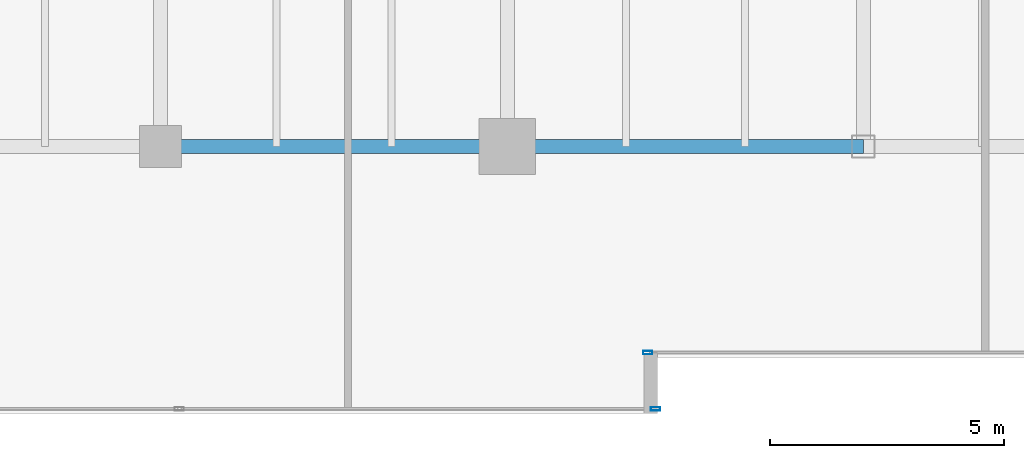
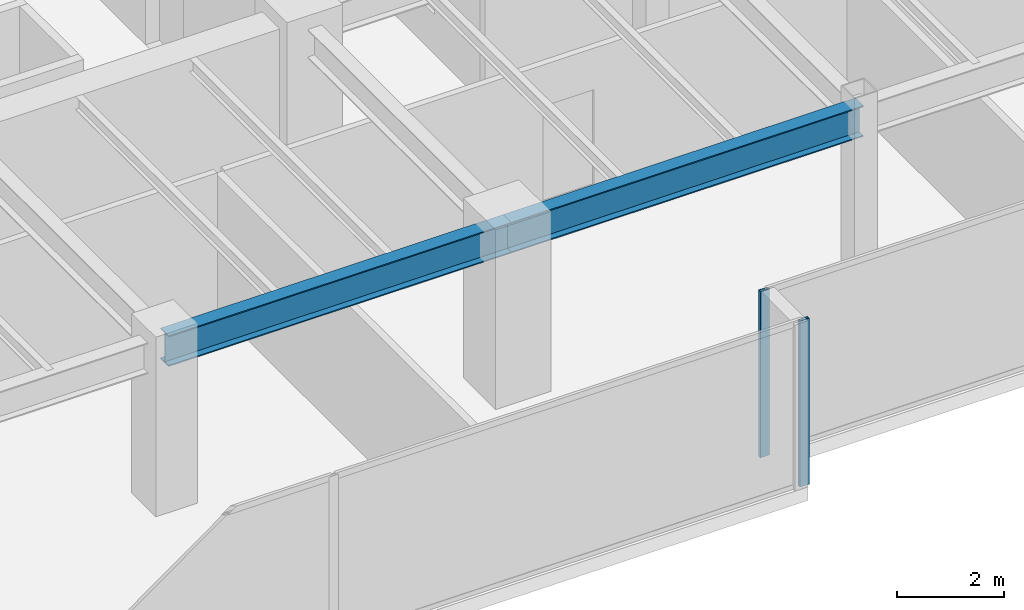
# One storey, part 4 of 30: 2 beams, 2 members, 2 elements without a shape of their own.
"""IFC4 building model written with IfcOpenShell, lengths in metres."""

from ifc_helpers import new_model, si_unit, direction, frame, origin, origin_2d, place, context, subcontext, project, spatial, hollow_rectangle, i_section, extrude, source, transform, mapped, material, layer, layer_set, material_profile, profile_set, type_object, type_shapes, element, aggregate, save


model = new_model("IFC4")

# Units and contexts
model_context = context("Model", 3, precision=1e-05, world=origin(), true_north=direction((0.0, 1.0)))
body_context = subcontext(model_context, "Body", "Model", "MODEL_VIEW")
ifc_project = project(units=[si_unit("LENGTHUNIT", "METRE"), si_unit("AREAUNIT", "SQUARE_METRE"), si_unit("VOLUMEUNIT", "CUBIC_METRE"), si_unit("PLANEANGLEUNIT", "RADIAN"), si_unit("MASSUNIT", "GRAM", prefix="KILO")], contexts=[model_context])

# Site, building, storey
site_placement = place(None, origin())
site = spatial("IfcSite", under=ifc_project, at=site_placement, CompositionType="ELEMENT")
building_placement = place(site_placement, origin())
building = spatial("IfcBuilding", under=site, at=building_placement, Name="Haelvirn Gate Laboratories", CompositionType="ELEMENT")
storey_placement = place(building_placement, frame((0.0, 0.0, 142.0)))
storey = spatial("IfcBuildingStorey", under=building, at=storey_placement, Name="L34", CompositionType="ELEMENT", Elevation=142.0)

# Beams
ifc_material_1 = material(Name="Steel SM355", Category="steel")
ifc_material_profile_1 = material_profile(ifc_material_1, i_section(OverallWidth=0.300048828125, OverallDepth=0.699951171875, WebThickness=0.012939453125, FlangeThickness=0.02392578125, at=origin_2d()), Name="H-700x300x13x24")
ifc_profile_set_1 = profile_set([ifc_material_profile_1], Name="Steel SM355")
beam_type = type_object("IfcBeamType", Name="BM-G-700", PredefinedType="BEAM", material=ifc_profile_set_1)
shared_shape_1 = source(origin(), body_context, "Body", "SweptSolid", [
    extrude(i_section(OverallWidth=0.300048828125, OverallDepth=0.699951171875, WebThickness=0.012939453125, FlangeThickness=0.02392578125, at=origin_2d()), origin(), (0.0, 0.0, 1.0), 7.39990234375),
])
beam_1_placement = place(storey_placement, frame((14.800048828125, 7.0, 3.43994140625), z_axis=(1.0, 0.0, 0.0), x_axis=(0.0, 1.0, 0.0)))
element("IfcBeam", 1, at=beam_1_placement, inside=storey, type_object=beam_type, Name="L34 Primary Girder Y7.0 (14.8-22.2)", PredefinedType="BEAM", context=body_context, shape_type="MappedRepresentation", body=[
    mapped(shared_shape_1, transform((0.0, 0.0, 0.0), scale=1.0)),
])
shared_shape_2 = source(origin(), body_context, "Body", "SweptSolid", [
    extrude(i_section(OverallWidth=0.300048828125, OverallDepth=0.699951171875, WebThickness=0.012939453125, FlangeThickness=0.02392578125, at=origin_2d()), origin(), (0.0, 0.0, 1.0), 7.60009765625),
])
type_shapes(beam_type, [shared_shape_1, shared_shape_2])
beam_2_placement = place(storey_placement, frame((22.199951171875, 7.0, 3.43994140625), z_axis=(1.0, 0.0, 0.0), x_axis=(0.0, 1.0, 0.0)))
element("IfcBeam", 2, at=beam_2_placement, inside=storey, type_object=beam_type, Name="L34 Primary Girder Y7.0 (22.2-29.8)", PredefinedType="BEAM", context=body_context, shape_type="MappedRepresentation", body=[
    mapped(shared_shape_2, transform((0.0, 0.0, 0.0), scale=1.0)),
])

# Curtain wall, member
ifc_material_2 = material(Name="Anodised bronze unitised aluminium & triple low-E glass", Category="aluminium")
ifc_layer = layer(ifc_material_2, 0.179931640625, Name="CW-SYS-3")
ifc_layer_set = layer_set([ifc_layer], Name="Anodised bronze unitised aluminium & triple low-E glass")
curtain_wall_type = type_object("IfcCurtainWallType", Name="CW-SYS-3", PredefinedType="NOTDEFINED", material=ifc_layer_set)
curtain_wall_1_placement = place(storey_placement, origin())
curtain_wall_1 = element("IfcCurtainWall", 3, at=curtain_wall_1_placement, inside=storey, type_object=curtain_wall_type, Name="L34 Unitised Curtain Wall CW-L34-P0-E00-1", PredefinedType="NOTDEFINED")
ifc_material_3 = material(Name="Extruded aluminium 6063-T6 (anodised bronze)", Category="aluminium")
ifc_material_profile_2 = material_profile(ifc_material_3, hollow_rectangle(XDim=0.074951171875, YDim=0.199951171875, WallThickness=0.0048828125, at=origin_2d()), Name="CWM-200x75x5")
ifc_profile_set_2 = profile_set([ifc_material_profile_2], Name="Extruded aluminium 6063-T6 (anodised bronze)")
member_type = type_object("IfcMemberType", Name="CWM-T200", PredefinedType="MULLION", material=ifc_profile_set_2)
shared_shape_3 = source(origin(), body_context, "Body", "SweptSolid", [
    extrude(hollow_rectangle(XDim=0.074951171875, YDim=0.199951171875, WallThickness=0.0048828125, at=origin_2d()), origin(), (0.0, 0.0, 1.0), 3.7900390625),
])
type_shapes(member_type, [shared_shape_3])
member_1_placement = place(storey_placement, frame((25.362548828125, 1.39990234375, 0.0), z_axis=(0.0, 0.0, 1.0), x_axis=(0.0, 1.0, 0.0)))
member_1 = element("IfcMember", 4, at=member_1_placement, type_object=member_type, Name="CW3 mullion 3", PredefinedType="MULLION", context=body_context, shape_type="MappedRepresentation", body=[
    mapped(shared_shape_3, transform((0.0, 0.0, 0.0), scale=1.0)),
])
aggregate(curtain_wall_1, [member_1])

curtain_wall_2_placement = place(storey_placement, origin())
curtain_wall_2 = element("IfcCurtainWall", 5, at=curtain_wall_2_placement, inside=storey, type_object=curtain_wall_type, Name="L34 Unitised Curtain Wall CW-L34-P0-E02-1", PredefinedType="NOTDEFINED")
member_2_placement = place(storey_placement, frame((25.197509765625, 2.60009765625, 0.0), z_axis=(0.0, 0.0, 1.0), x_axis=(0.0, 1.0, 0.0)))
member_2 = element("IfcMember", 6, at=member_2_placement, type_object=member_type, Name="CW3 mullion 1", PredefinedType="MULLION", context=body_context, shape_type="MappedRepresentation", body=[
    mapped(shared_shape_3, transform((0.0, 0.0, 0.0), scale=1.0)),
])
aggregate(curtain_wall_2, [member_2])

save(model, "model.ifc")
